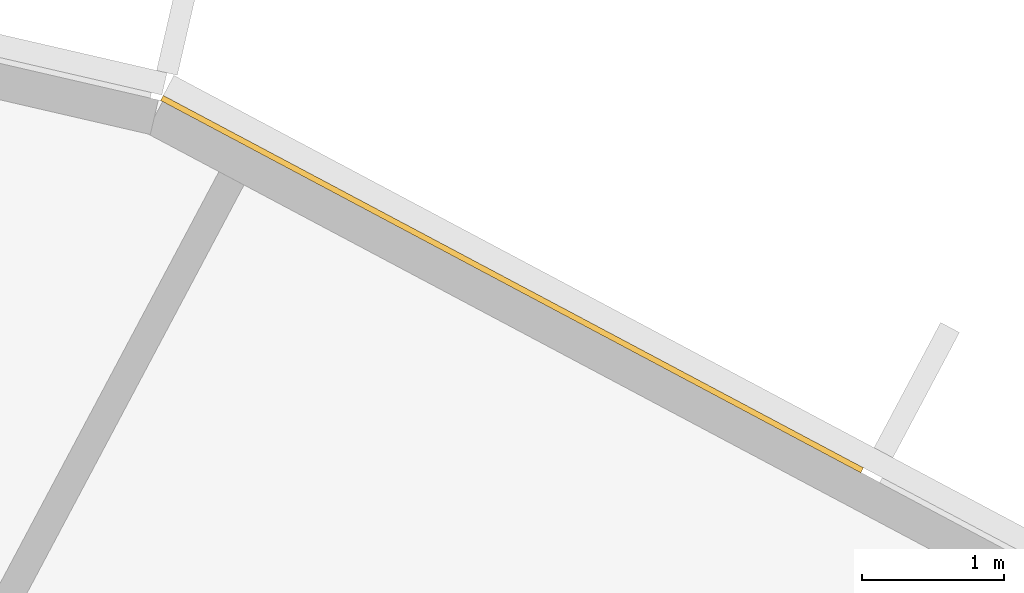
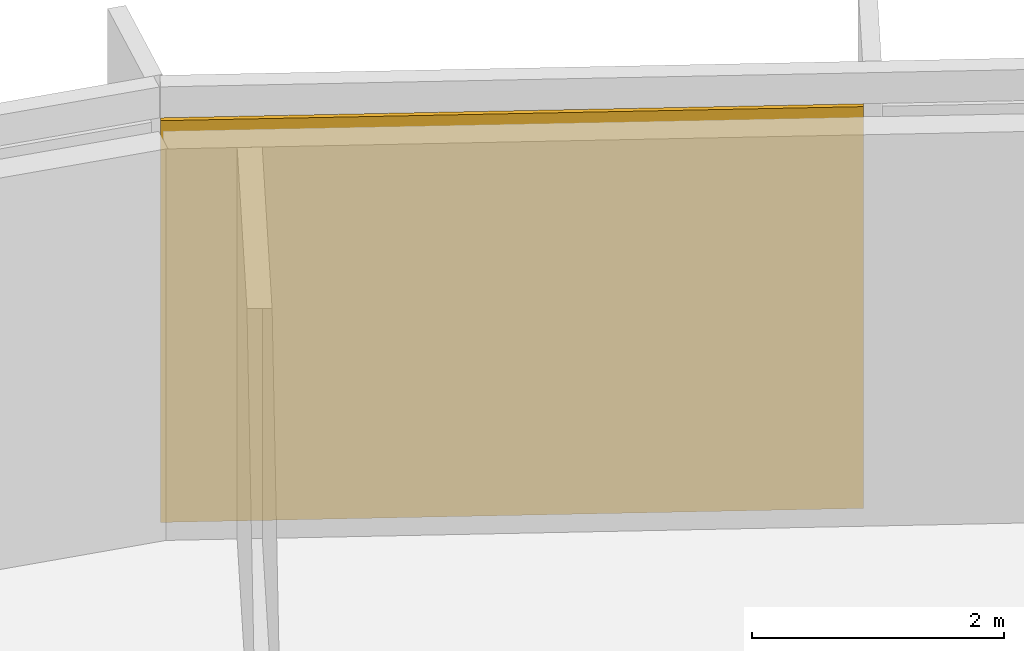
# One storey, part 16 of 16: 1 covering, 1 element without a shape of its own.
"""IFC4 building model written with IfcOpenShell, lengths in metres."""

from ifc_helpers import new_model, si_unit, direction, frame, origin, origin_2d, place, context, subcontext, project, spatial, rectangle, extrude, material, layer, layer_set, type_object, element, aggregate, save


model = new_model("IFC4")

# Units and contexts
model_context = context("Model", 3, precision=1e-05, world=origin(), true_north=direction((0.0, 1.0)))
body_context = subcontext(model_context, "Body", "Model", "MODEL_VIEW")
ifc_project = project(units=[si_unit("LENGTHUNIT", "METRE"), si_unit("AREAUNIT", "SQUARE_METRE"), si_unit("VOLUMEUNIT", "CUBIC_METRE"), si_unit("PLANEANGLEUNIT", "RADIAN"), si_unit("MASSUNIT", "GRAM", prefix="KILO")], contexts=[model_context])

# Site, building, storey
site_placement = place(None, origin())
site = spatial("IfcSite", under=ifc_project, at=site_placement, CompositionType="ELEMENT")
building_placement = place(site_placement, origin())
building = spatial("IfcBuilding", under=site, at=building_placement, Name="Cormorant Relay Tower", CompositionType="ELEMENT")
storey_placement = place(building_placement, frame((0.0, 0.0, 340.800048828125)))
storey = spatial("IfcBuildingStorey", under=building, at=storey_placement, Name="C4", CompositionType="ELEMENT", Elevation=340.800048828125)

# Curtain wall, covering
ifc_material_1 = material(Name="Aluminium 6063-T6 anodised bronze", Category="aluminium")
ifc_layer_1 = layer(ifc_material_1, 0.199951171875)
ifc_layer_set_1 = layer_set([ifc_layer_1], Name="CW3 crown screen wall")
curtain_wall_type = type_object("IfcCurtainWallType", Name="CW3 crown screen wall", PredefinedType="NOTDEFINED", material=ifc_layer_set_1)
curtain_wall_placement = place(storey_placement, origin())
curtain_wall = element("IfcCurtainWall", 1, at=curtain_wall_placement, inside=storey, type_object=curtain_wall_type, Name="CW3 curtain wall 14", PredefinedType="NOTDEFINED")
ifc_material_2 = material(Name="Perforated bronze anodised aluminium screen", Category="aluminium")
ifc_layer_2 = layer(ifc_material_2, 0.0400390625)
ifc_layer_set_2 = layer_set([ifc_layer_2], Name="CW3 perforated bronze screen panel 40")
covering_type = type_object("IfcCoveringType", Name="CW3 perforated bronze screen panel 40", PredefinedType="CLADDING", material=ifc_layer_set_2)
covering_placement = place(storey_placement, frame((-27.396240234375, 38.37353515625, 0.0), z_axis=(0.0, 0.0, 1.0), x_axis=(-0.882947592859, 0.469471562786, 0.0)))
covering = element("IfcCovering", 2, at=covering_placement, type_object=covering_type, Name="CW3 panel X05", PredefinedType="CLADDING", context=body_context, shape_type="SweptSolid", body=[
    extrude(rectangle(XDim=5.590576171875, YDim=0.0400390625, at=origin_2d()), origin(), (0.0, 0.0, 1.0), 3.89990234375),
])
aggregate(curtain_wall, [covering])

save(model, "model.ifc")
